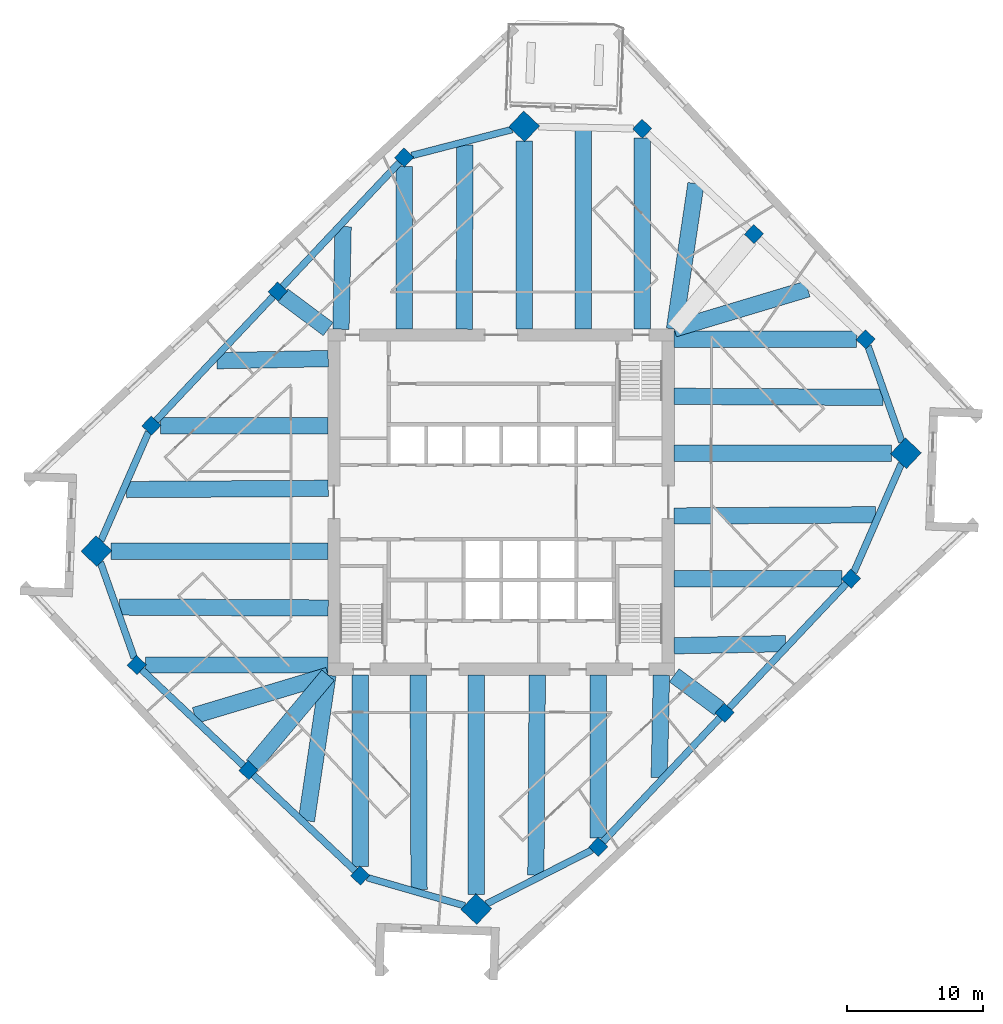
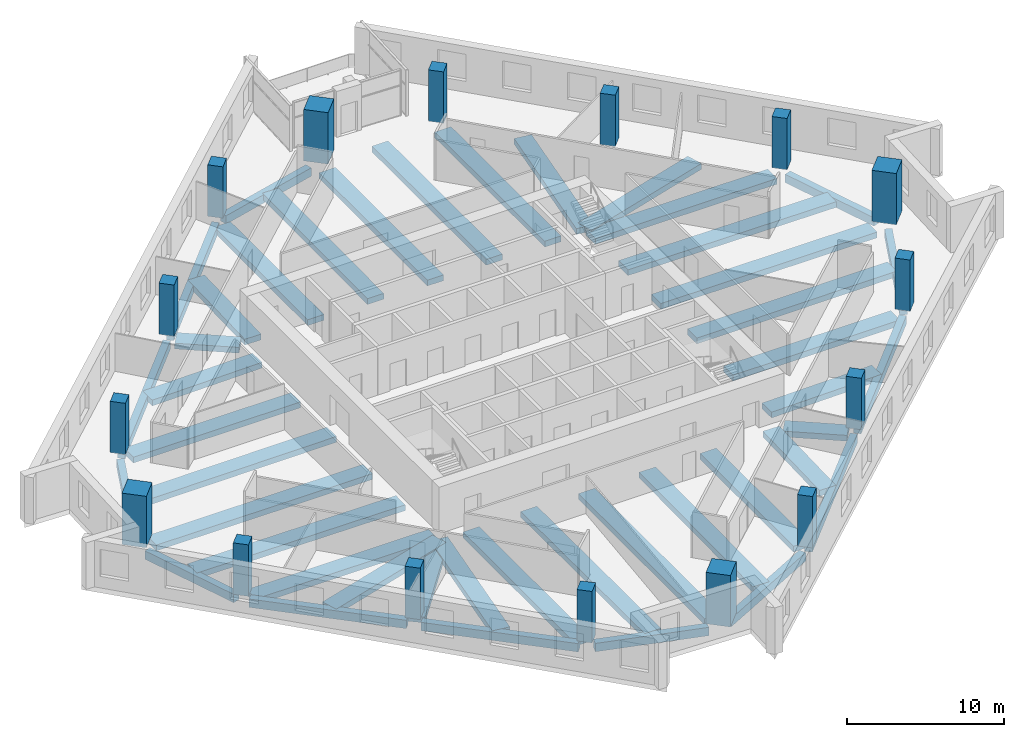
# One storey, part 1 of 10: 44 beams, 16 columns.
"""IFC4 building model written with IfcOpenShell, lengths in metres."""

from ifc_helpers import new_model, si_unit, direction, frame, origin, origin_2d, place, context, subcontext, project, spatial, rectangle, extrude, material, material_profile, profile_set, type_object, element, save


model = new_model("IFC4")

# Units and contexts
model_context = context("Model", 3, precision=1e-05, world=origin(), true_north=direction((0.0, 1.0)))
body_context = subcontext(model_context, "Body", "Model", "MODEL_VIEW")
ifc_project = project(units=[si_unit("LENGTHUNIT", "METRE"), si_unit("AREAUNIT", "SQUARE_METRE"), si_unit("VOLUMEUNIT", "CUBIC_METRE"), si_unit("PLANEANGLEUNIT", "RADIAN"), si_unit("MASSUNIT", "GRAM", prefix="KILO")], contexts=[model_context])

# Site, building, storey
site_placement = place(None, origin())
site = spatial("IfcSite", under=ifc_project, at=site_placement, CompositionType="ELEMENT")
building_placement = place(site_placement, origin())
building = spatial("IfcBuilding", under=site, at=building_placement, Name="Dilmun Exchange Tower", CompositionType="ELEMENT")
storey_placement = place(building_placement, frame((0.0, 0.0, 201.300048828125)))
storey = spatial("IfcBuildingStorey", under=building, at=storey_placement, Name="L47", CompositionType="ELEMENT", Elevation=201.300048828125)

# Columns
ifc_material_1 = material(Name="Concrete C60/75", Category="concrete")
ifc_material_profile_1 = material_profile(ifc_material_1, rectangle(XDim=1.60009765625, YDim=1.60009765625, at=origin_2d()), Name="1600 x 1600")
ifc_profile_set_1 = profile_set([ifc_material_profile_1], Name="Concrete C60/75")
column_type_1 = type_object("IfcColumnType", Name="RC mega column 1600 x 1600 C60/75", PredefinedType="COLUMN", material=ifc_profile_set_1)
for number, where, z_axis, x_axis, name in (
    (1, (1.68505859375, 27.5380859375, 0.0), (0.0, 0.0, 1.0), (0.685916152371, 0.727680583715, 0.0), "Mega column M1"),
    (2, (-29.658935546875, -3.58203125, 0.0), (0.0, 0.0, 1.0), (0.685916152371, 0.727680583715, 0.0), "Mega column M2"),
    (3, (-1.824951171875, -29.818115234375, 0.0), (0.0, 0.0, 1.0), (0.685916152371, 0.727680583715, 0.0), "Mega column M3"),
    (4, (29.658935546875, 3.58203125, 0.0), (0.0, 0.0, 1.0), (0.685916152371, 0.727680583715, 0.0), "Mega column M4"),
):
    element("IfcColumn", number, at=place(storey_placement, frame(where, z_axis=z_axis, x_axis=x_axis)), inside=storey, type_object=column_type_1, Name=name, PredefinedType="COLUMN", context=body_context, shape_type="SweptSolid", body=[
        extrude(rectangle(XDim=1.60009765625, YDim=1.60009765625, at=origin_2d()), origin(), (0.0, 0.0, 1.0), 4.0),
    ])
ifc_material_profile_2 = material_profile(ifc_material_1, rectangle(XDim=1.0, YDim=1.0, at=origin_2d()), Name="1000 x 1000")
ifc_profile_set_2 = profile_set([ifc_material_profile_2], Name="Concrete C60/75")
column_type_2 = type_object("IfcColumnType", Name="RC ring column 1000 x 1000 C60/75", PredefinedType="COLUMN", material=ifc_profile_set_2)
for number, where, z_axis, x_axis, name in (
    (5, (-7.113037109375, 25.257080078125, 0.0), (0.0, 0.0, 1.0), (0.685916152371, 0.727680583715, 0.0), "Ring column R01"),
    (6, (-16.373046875, 15.43310546875, 0.0), (0.0, 0.0, 1.0), (0.685916152371, 0.727680583715, 0.0), "Ring column R02"),
    (7, (-25.633056640625, 5.60888671875, 0.0), (0.0, 0.0, 1.0), (0.685916152371, 0.727680583715, 0.0), "Ring column R03"),
    (8, (-26.7060546875, -11.930908203125, 0.0), (0.0, 0.0, 1.0), (0.685916152371, 0.727680583715, 0.0), "Ring column R04"),
    (9, (-18.52001953125, -19.64697265625, 0.0), (0.0, 0.0, 1.0), (0.685916152371, 0.727680583715, 0.0), "Ring column R05"),
    (10, (-10.3330078125, -27.364013671875, 0.0), (0.0, 0.0, 1.0), (0.685916152371, 0.727680583715, 0.0), "Ring column R06"),
    (11, (7.113037109375, -25.257080078125, 0.0), (0.0, 0.0, 1.0), (0.685916152371, 0.727680583715, 0.0), "Ring column R07"),
    (12, (16.373046875, -15.43310546875, 0.0), (0.0, 0.0, 1.0), (0.685916152371, 0.727680583715, 0.0), "Ring column R08"),
    (13, (25.633056640625, -5.60888671875, 0.0), (0.0, 0.0, 1.0), (0.685916152371, 0.727680583715, 0.0), "Ring column R09"),
    (14, (26.7060546875, 11.930908203125, 0.0), (0.0, 0.0, 1.0), (0.685916152371, 0.727680583715, 0.0), "Ring column R10"),
    (15, (18.52001953125, 19.64697265625, 0.0), (0.0, 0.0, 1.0), (0.685916152371, 0.727680583715, 0.0), "Ring column R11"),
    (16, (10.3330078125, 27.364013671875, 0.0), (0.0, 0.0, 1.0), (0.685916152371, 0.727680583715, 0.0), "Ring column R12"),
):
    element("IfcColumn", number, at=place(storey_placement, frame(where, z_axis=z_axis, x_axis=x_axis)), inside=storey, type_object=column_type_2, Name=name, PredefinedType="COLUMN", context=body_context, shape_type="SweptSolid", body=[
        extrude(rectangle(XDim=1.0, YDim=1.0, at=origin_2d()), origin(), (0.0, 0.0, 1.0), 4.0),
    ])

# Beams
ifc_material_2 = material(Name="Concrete C40/50", Category="concrete")
ifc_material_profile_3 = material_profile(ifc_material_2, rectangle(XDim=1.199951171875, YDim=0.449951171875, at=origin_2d()), Name="1200 x 450")
ifc_profile_set_3 = profile_set([ifc_material_profile_3], Name="Concrete C40/50")
beam_type_1 = type_object("IfcBeamType", Name="RC band beam 1200 x 450 C40/50", PredefinedType="BEAM", material=ifc_profile_set_3)
beam_1_placement = place(storey_placement, frame((1.68505859375, 26.465576171875, -0.705078125), z_axis=(0.0, -1.0, 0.0), x_axis=(1.0, 0.0, 0.0)))
element("IfcBeam", 17, at=beam_1_placement, inside=storey, type_object=beam_type_1, Name="Band beam 1", PredefinedType="BEAM", context=body_context, shape_type="SweptSolid", body=[
    extrude(rectangle(XDim=1.199951171875, YDim=0.449951171875, at=origin_2d()), origin(), (0.0, 0.0, 1.0), 13.79248046875),
])
beam_2_placement = place(storey_placement, frame((-7.113037109375, 24.596923828125, -0.705078125), z_axis=(0.0, -1.0, 0.0), x_axis=(1.0, 0.0, 0.0)))
element("IfcBeam", 18, at=beam_2_placement, inside=storey, type_object=beam_type_1, Name="Band beam 2", PredefinedType="BEAM", context=body_context, shape_type="SweptSolid", body=[
    extrude(rectangle(XDim=1.199951171875, YDim=0.449951171875, at=origin_2d()), origin(), (0.0, 0.0, 1.0), 11.923828125),
])
beam_3_placement = place(storey_placement, frame((-15.99072265625, 15.148681640625, -0.705078125), z_axis=(0.802264832552, -0.596968289317, 0.0), x_axis=(0.596968289317, 0.802264832552, 0.0)))
element("IfcBeam", 19, at=beam_3_placement, inside=storey, type_object=beam_type_1, Name="Band beam 3", PredefinedType="BEAM", context=body_context, shape_type="SweptSolid", body=[
    extrude(rectangle(XDim=1.199951171875, YDim=0.449951171875, at=origin_2d()), origin(), (0.0, 0.0, 1.0), 4.12890625),
])
beam_4_placement = place(storey_placement, frame((-24.972900390625, 5.60888671875, -0.705078125), z_axis=(1.0, 0.0, 0.0), x_axis=(0.0, 1.0, 0.0)))
element("IfcBeam", 20, at=beam_4_placement, inside=storey, type_object=beam_type_1, Name="Band beam 4", PredefinedType="BEAM", context=body_context, shape_type="SweptSolid", body=[
    extrude(rectangle(XDim=1.199951171875, YDim=0.449951171875, at=origin_2d()), origin(), (0.0, 0.0, 1.0), 12.2998046875),
])
beam_5_placement = place(storey_placement, frame((-28.586669921875, -3.58203125, -0.705078125), z_axis=(1.0, 0.0, 0.0), x_axis=(0.0, 1.0, 0.0)))
element("IfcBeam", 21, at=beam_5_placement, inside=storey, type_object=beam_type_1, Name="Band beam 5", PredefinedType="BEAM", context=body_context, shape_type="SweptSolid", body=[
    extrude(rectangle(XDim=1.199951171875, YDim=0.449951171875, at=origin_2d()), origin(), (0.0, 0.0, 1.0), 15.91357421875),
])
beam_6_placement = place(storey_placement, frame((-26.0458984375, -11.930908203125, -0.705078125), z_axis=(1.0, 0.0, 0.0), x_axis=(0.0, 1.0, 0.0)))
element("IfcBeam", 22, at=beam_6_placement, inside=storey, type_object=beam_type_1, Name="Band beam 6", PredefinedType="BEAM", context=body_context, shape_type="SweptSolid", body=[
    extrude(rectangle(XDim=1.199951171875, YDim=0.449951171875, at=origin_2d()), origin(), (0.0, 0.0, 1.0), 13.372802734375),
])
beam_7_placement = place(storey_placement, frame((-18.2158203125, -19.28369140625, -0.705078125), z_axis=(0.642200063897, 0.766537068856, 0.0), x_axis=(-0.766537068856, 0.642200063897, 0.0)))
element("IfcBeam", 23, at=beam_7_placement, inside=storey, type_object=beam_type_1, Name="Band beam 7", PredefinedType="BEAM", context=body_context, shape_type="SweptSolid", body=[
    extrude(rectangle(XDim=1.199951171875, YDim=0.449951171875, at=origin_2d()), origin(), (0.0, 0.0, 1.0), 8.615966796875),
])
beam_8_placement = place(storey_placement, frame((-10.3330078125, -26.703857421875, -0.705078125), z_axis=(0.0, 1.0, 0.0), x_axis=(-1.0, 0.0, 0.0)))
element("IfcBeam", 24, at=beam_8_placement, inside=storey, type_object=beam_type_1, Name="Band beam 8", PredefinedType="BEAM", context=body_context, shape_type="SweptSolid", body=[
    extrude(rectangle(XDim=1.199951171875, YDim=0.449951171875, at=origin_2d()), origin(), (0.0, 0.0, 1.0), 14.03076171875),
])
beam_9_placement = place(storey_placement, frame((-1.824951171875, -28.74560546875, -0.705078125), z_axis=(0.0, 1.0, 0.0), x_axis=(-1.0, 0.0, 0.0)))
element("IfcBeam", 25, at=beam_9_placement, inside=storey, type_object=beam_type_1, Name="Band beam 9", PredefinedType="BEAM", context=body_context, shape_type="SweptSolid", body=[
    extrude(rectangle(XDim=1.199951171875, YDim=0.449951171875, at=origin_2d()), origin(), (0.0, 0.0, 1.0), 16.072509765625),
])
beam_10_placement = place(storey_placement, frame((7.113037109375, -24.596923828125, -0.705078125), z_axis=(0.0, 1.0, 0.0), x_axis=(-1.0, 0.0, 0.0)))
element("IfcBeam", 26, at=beam_10_placement, inside=storey, type_object=beam_type_1, Name="Band beam 10", PredefinedType="BEAM", context=body_context, shape_type="SweptSolid", body=[
    extrude(rectangle(XDim=1.199951171875, YDim=0.449951171875, at=origin_2d()), origin(), (0.0, 0.0, 1.0), 11.923828125),
])
beam_11_placement = place(storey_placement, frame((15.99072265625, -15.148681640625, -0.705078125), z_axis=(-0.802264832552, 0.596968289317, 0.0), x_axis=(-0.596968289317, -0.802264832552, 0.0)))
element("IfcBeam", 27, at=beam_11_placement, inside=storey, type_object=beam_type_1, Name="Band beam 11", PredefinedType="BEAM", context=body_context, shape_type="SweptSolid", body=[
    extrude(rectangle(XDim=1.199951171875, YDim=0.449951171875, at=origin_2d()), origin(), (0.0, 0.0, 1.0), 4.12890625),
])
beam_12_placement = place(storey_placement, frame((24.972900390625, -5.60888671875, -0.705078125), z_axis=(-1.0, 0.0, 0.0), x_axis=(0.0, -1.0, 0.0)))
element("IfcBeam", 28, at=beam_12_placement, inside=storey, type_object=beam_type_1, Name="Band beam 12", PredefinedType="BEAM", context=body_context, shape_type="SweptSolid", body=[
    extrude(rectangle(XDim=1.199951171875, YDim=0.449951171875, at=origin_2d()), origin(), (0.0, 0.0, 1.0), 12.2998046875),
])
beam_13_placement = place(storey_placement, frame((28.586669921875, 3.58203125, -0.705078125), z_axis=(-1.0, 0.0, 0.0), x_axis=(0.0, -1.0, 0.0)))
element("IfcBeam", 29, at=beam_13_placement, inside=storey, type_object=beam_type_1, Name="Band beam 13", PredefinedType="BEAM", context=body_context, shape_type="SweptSolid", body=[
    extrude(rectangle(XDim=1.199951171875, YDim=0.449951171875, at=origin_2d()), origin(), (0.0, 0.0, 1.0), 15.91357421875),
])
beam_14_placement = place(storey_placement, frame((26.0458984375, 11.930908203125, -0.705078125), z_axis=(-1.0, 0.0, 0.0), x_axis=(0.0, -1.0, 0.0)))
element("IfcBeam", 30, at=beam_14_placement, inside=storey, type_object=beam_type_1, Name="Band beam 14", PredefinedType="BEAM", context=body_context, shape_type="SweptSolid", body=[
    extrude(rectangle(XDim=1.199951171875, YDim=0.449951171875, at=origin_2d()), origin(), (0.0, 0.0, 1.0), 13.372802734375),
])
beam_15_placement = place(storey_placement, frame((10.3330078125, 26.703857421875, -0.705078125), z_axis=(0.0, -1.0, 0.0), x_axis=(1.0, 0.0, 0.0)))
element("IfcBeam", 31, at=beam_15_placement, inside=storey, type_object=beam_type_1, Name="Band beam 16", PredefinedType="BEAM", context=body_context, shape_type="SweptSolid", body=[
    extrude(rectangle(XDim=1.199951171875, YDim=0.449951171875, at=origin_2d()), origin(), (0.0, 0.0, 1.0), 14.03076171875),
])
beam_16_placement = place(storey_placement, frame((-2.657958984375, 26.181640625, -0.60498046875), z_axis=(-0.004156765881, -0.999991360611, 0.0), x_axis=(0.999991360611, -0.004156765881, 0.0)))
element("IfcBeam", 32, at=beam_16_placement, inside=storey, type_object=beam_type_1, Name="Band beam 17", PredefinedType="BEAM", context=body_context, shape_type="SweptSolid", body=[
    extrude(rectangle(XDim=1.199951171875, YDim=0.449951171875, at=origin_2d()), origin(), (0.0, 0.0, 1.0), 13.508544921875),
])
beam_17_placement = place(storey_placement, frame((-11.580810546875, 20.19189453125, -0.60498046875), z_axis=(-0.021555532074, -0.999767652526, 0.0), x_axis=(0.999767652526, -0.021555532074, 0.0)))
element("IfcBeam", 33, at=beam_17_placement, inside=storey, type_object=beam_type_1, Name="Band beam 18", PredefinedType="BEAM", context=body_context, shape_type="SweptSolid", body=[
    extrude(rectangle(XDim=1.199951171875, YDim=0.449951171875, at=origin_2d()), origin(), (0.0, 0.0, 1.0), 7.5205078125),
])
beam_18_placement = place(storey_placement, frame((-20.8408203125, 10.367919921875, -0.60498046875), z_axis=(0.999824422594, 0.018738302585, 0.0), x_axis=(-0.018738302585, 0.999824422594, 0.0)))
element("IfcBeam", 34, at=beam_18_placement, inside=storey, type_object=beam_type_1, Name="Band beam 19", PredefinedType="BEAM", context=body_context, shape_type="SweptSolid", body=[
    extrude(rectangle(XDim=1.199951171875, YDim=0.449951171875, at=origin_2d()), origin(), (0.0, 0.0, 1.0), 8.169189453125),
])
beam_19_placement = place(storey_placement, frame((-27.441650390625, 0.924072265625, -0.60498046875), z_axis=(0.999981696912, 0.006050276087, 0.0), x_axis=(-0.006050276087, 0.999981696912, 0.0)))
element("IfcBeam", 35, at=beam_19_placement, inside=storey, type_object=beam_type_1, Name="Band beam 20", PredefinedType="BEAM", context=body_context, shape_type="SweptSolid", body=[
    extrude(rectangle(XDim=1.199951171875, YDim=0.449951171875, at=origin_2d()), origin(), (0.0, 0.0, 1.0), 14.768798828125),
])
beam_20_placement = place(storey_placement, frame((-27.972412109375, -7.68212890625, -0.60498046875), z_axis=(0.99998815601, -0.004867015408, 0.0), x_axis=(0.004867015408, 0.99998815601, 0.0)))
element("IfcBeam", 36, at=beam_20_placement, inside=storey, type_object=beam_type_1, Name="Band beam 21", PredefinedType="BEAM", context=body_context, shape_type="SweptSolid", body=[
    extrude(rectangle(XDim=1.199951171875, YDim=0.449951171875, at=origin_2d()), origin(), (0.0, 0.0, 1.0), 15.299560546875),
])
beam_21_placement = place(storey_placement, frame((-22.4599609375, -15.626708984375, -0.60498046875), z_axis=(0.957849959988, 0.287268957862, 0.0), x_axis=(-0.287268957862, 0.957849959988, 0.0)))
element("IfcBeam", 37, at=beam_21_placement, inside=storey, type_object=beam_type_1, Name="Band beam 22", PredefinedType="BEAM", context=body_context, shape_type="SweptSolid", body=[
    extrude(rectangle(XDim=1.199951171875, YDim=0.449951171875, at=origin_2d()), origin(), (0.0, 0.0, 1.0), 10.21630859375),
])
beam_22_placement = place(storey_placement, frame((-14.2734375, -23.34326171875, -0.60498046875), z_axis=(0.146268101323, 0.989244986106, 0.0), x_axis=(-0.989244986106, 0.146268101323, 0.0)))
element("IfcBeam", 38, at=beam_22_placement, inside=storey, type_object=beam_type_1, Name="Band beam 23", PredefinedType="BEAM", context=body_context, shape_type="SweptSolid", body=[
    extrude(rectangle(XDim=1.199951171875, YDim=0.449951171875, at=origin_2d()), origin(), (0.0, 0.0, 1.0), 10.785888671875),
])
beam_23_placement = place(storey_placement, frame((-6.01708984375, -28.376708984375, -0.60498046875), z_axis=(-0.003948851398, 0.999992203256, 0.0), x_axis=(-0.999992203256, -0.003948851398, 0.0)))
element("IfcBeam", 39, at=beam_23_placement, inside=storey, type_object=beam_type_1, Name="Band beam 24", PredefinedType="BEAM", context=body_context, shape_type="SweptSolid", body=[
    extrude(rectangle(XDim=1.199951171875, YDim=0.449951171875, at=origin_2d()), origin(), (0.0, 0.0, 1.0), 15.703857421875),
])
beam_24_placement = place(storey_placement, frame((2.54248046875, -27.3388671875, -0.60498046875), z_axis=(0.006924972536, 0.99997602209, 0.0), x_axis=(-0.99997602209, 0.006924972536, 0.0)))
element("IfcBeam", 40, at=beam_24_placement, inside=storey, type_object=beam_type_1, Name="Band beam 25", PredefinedType="BEAM", context=body_context, shape_type="SweptSolid", body=[
    extrude(rectangle(XDim=1.199951171875, YDim=0.449951171875, at=origin_2d()), origin(), (0.0, 0.0, 1.0), 14.666015625),
])
beam_25_placement = place(storey_placement, frame((11.580810546875, -20.19189453125, -0.60498046875), z_axis=(0.021555532074, 0.999767652526, 0.0), x_axis=(-0.999767652526, 0.021555532074, 0.0)))
element("IfcBeam", 41, at=beam_25_placement, inside=storey, type_object=beam_type_1, Name="Band beam 26", PredefinedType="BEAM", context=body_context, shape_type="SweptSolid", body=[
    extrude(rectangle(XDim=1.199951171875, YDim=0.449951171875, at=origin_2d()), origin(), (0.0, 0.0, 1.0), 7.5205078125),
])
beam_26_placement = place(storey_placement, frame((20.8408203125, -10.367919921875, -0.60498046875), z_axis=(-0.999824422594, -0.018738302585, 0.0), x_axis=(0.018738302585, -0.999824422594, 0.0)))
element("IfcBeam", 42, at=beam_26_placement, inside=storey, type_object=beam_type_1, Name="Band beam 27", PredefinedType="BEAM", context=body_context, shape_type="SweptSolid", body=[
    extrude(rectangle(XDim=1.199951171875, YDim=0.449951171875, at=origin_2d()), origin(), (0.0, 0.0, 1.0), 8.169189453125),
])
beam_27_placement = place(storey_placement, frame((27.441650390625, -0.924072265625, -0.60498046875), z_axis=(-0.999981696912, -0.006050276087, 0.0), x_axis=(0.006050276087, -0.999981696912, 0.0)))
element("IfcBeam", 43, at=beam_27_placement, inside=storey, type_object=beam_type_1, Name="Band beam 28", PredefinedType="BEAM", context=body_context, shape_type="SweptSolid", body=[
    extrude(rectangle(XDim=1.199951171875, YDim=0.449951171875, at=origin_2d()), origin(), (0.0, 0.0, 1.0), 14.768798828125),
])
beam_28_placement = place(storey_placement, frame((27.972412109375, 7.68212890625, -0.60498046875), z_axis=(-0.99998815601, 0.004867015408, 0.0), x_axis=(-0.004867015408, -0.99998815601, 0.0)))
element("IfcBeam", 44, at=beam_28_placement, inside=storey, type_object=beam_type_1, Name="Band beam 29", PredefinedType="BEAM", context=body_context, shape_type="SweptSolid", body=[
    extrude(rectangle(XDim=1.199951171875, YDim=0.449951171875, at=origin_2d()), origin(), (0.0, 0.0, 1.0), 15.299560546875),
])
beam_29_placement = place(storey_placement, frame((22.4599609375, 15.626708984375, -0.60498046875), z_axis=(-0.957849959988, -0.287268957862, 0.0), x_axis=(0.287268957862, -0.957849959988, 0.0)))
element("IfcBeam", 45, at=beam_29_placement, inside=storey, type_object=beam_type_1, Name="Band beam 30", PredefinedType="BEAM", context=body_context, shape_type="SweptSolid", body=[
    extrude(rectangle(XDim=1.199951171875, YDim=0.449951171875, at=origin_2d()), origin(), (0.0, 0.0, 1.0), 10.21630859375),
])
beam_30_placement = place(storey_placement, frame((14.2734375, 23.34326171875, -0.60498046875), z_axis=(-0.146268101323, -0.989244986106, 0.0), x_axis=(0.989244986106, -0.146268101323, 0.0)))
element("IfcBeam", 46, at=beam_30_placement, inside=storey, type_object=beam_type_1, Name="Band beam 31", PredefinedType="BEAM", context=body_context, shape_type="SweptSolid", body=[
    extrude(rectangle(XDim=1.199951171875, YDim=0.449951171875, at=origin_2d()), origin(), (0.0, 0.0, 1.0), 10.785888671875),
])
beam_31_placement = place(storey_placement, frame((6.00439453125, 27.22802734375, -0.60498046875), z_axis=(0.000318701025, -0.999999949215, 0.0), x_axis=(0.999999949215, 0.000318701025, 0.0)))
element("IfcBeam", 47, at=beam_31_placement, inside=storey, type_object=beam_type_1, Name="Band beam 32", PredefinedType="BEAM", context=body_context, shape_type="SweptSolid", body=[
    extrude(rectangle(XDim=1.199951171875, YDim=0.449951171875, at=origin_2d()), origin(), (0.0, 0.0, 1.0), 14.554931640625),
])
ifc_material_profile_4 = material_profile(ifc_material_2, rectangle(XDim=0.5, YDim=0.64990234375, at=origin_2d()), Name="500 x 650")
ifc_profile_set_4 = profile_set([ifc_material_profile_4], Name="Concrete C40/50")
beam_type_2 = type_object("IfcBeamType", Name="RC ring beam 500 x 650 C40/50", PredefinedType="SPANDREL", material=ifc_profile_set_4)
beam_32_placement = place(storey_placement, frame((0.79638671875, 27.3076171875, -0.705078125), z_axis=(-0.967995165605, -0.250968841424, 0.0), x_axis=(0.250968841424, -0.967995165605, 0.0)))
element("IfcBeam", 48, at=beam_32_placement, inside=storey, type_object=beam_type_2, Name="Ring beam 1", PredefinedType="SPANDREL", context=body_context, shape_type="SweptSolid", body=[
    extrude(rectangle(XDim=0.5, YDim=0.64990234375, at=origin_2d()), origin(), (0.0, 0.0, 1.0), 7.607177734375),
])
for number, where, z_axis, x_axis, name in (
    (49, (-7.4375, 24.912841796875, -0.705078125), (-0.685902559512, -0.727693396188, 0.0), (0.727693396188, -0.685902559512, 0.0), "Ring beam 2"),
    (50, (-16.697509765625, 15.0888671875, -0.705078125), (-0.685902559512, -0.727693396188, 0.0), (0.727693396188, -0.685902559512, 0.0), "Ring beam 3"),
):
    element("IfcBeam", number, at=place(storey_placement, frame(where, z_axis=z_axis, x_axis=x_axis)), inside=storey, type_object=beam_type_2, Name=name, PredefinedType="SPANDREL", context=body_context, shape_type="SweptSolid", body=[
        extrude(rectangle(XDim=0.5, YDim=0.64990234375, at=origin_2d()), origin(), (0.0, 0.0, 1.0), 12.554443359375),
    ])
beam_33_placement = place(storey_placement, frame((-25.835205078125, 5.1474609375, -0.705078125), z_axis=(-0.401239440722, -0.915973204416, 0.0), x_axis=(0.915973204416, -0.401239440722, 0.0)))
element("IfcBeam", 51, at=beam_33_placement, inside=storey, type_object=beam_type_2, Name="Ring beam 4", PredefinedType="SPANDREL", context=body_context, shape_type="SweptSolid", body=[
    extrude(rectangle(XDim=0.5, YDim=0.64990234375, at=origin_2d()), origin(), (0.0, 0.0, 1.0), 8.707763671875),
])
beam_34_placement = place(storey_placement, frame((-29.367919921875, -4.404541015625, -0.705078125), z_axis=(0.333423578623, -0.942777130195, 0.0), x_axis=(0.942777130195, 0.333423578623, 0.0)))
element("IfcBeam", 52, at=beam_34_placement, inside=storey, type_object=beam_type_2, Name="Ring beam 5", PredefinedType="SPANDREL", context=body_context, shape_type="SweptSolid", body=[
    extrude(rectangle(XDim=0.5, YDim=0.64990234375, at=origin_2d()), origin(), (0.0, 0.0, 1.0), 7.4482421875),
])
beam_35_placement = place(storey_placement, frame((-26.36181640625, -12.25537109375, -0.705078125), z_axis=(0.727685706374, -0.68591071776, 0.0), x_axis=(0.68591071776, 0.727685706374, 0.0)))
element("IfcBeam", 53, at=beam_35_placement, inside=storey, type_object=beam_type_2, Name="Ring beam 6", PredefinedType="SPANDREL", context=body_context, shape_type="SweptSolid", body=[
    extrude(rectangle(XDim=0.5, YDim=0.64990234375, at=origin_2d()), origin(), (0.0, 0.0, 1.0), 10.30322265625),
])
beam_36_placement = place(storey_placement, frame((-18.17578125, -19.971435546875, -0.705078125), z_axis=(0.727682990869, -0.685913598641, 0.0), x_axis=(0.685913598641, 0.727682990869, 0.0)))
element("IfcBeam", 54, at=beam_36_placement, inside=storey, type_object=beam_type_2, Name="Ring beam 7", PredefinedType="SPANDREL", context=body_context, shape_type="SweptSolid", body=[
    extrude(rectangle(XDim=0.5, YDim=0.64990234375, at=origin_2d()), origin(), (0.0, 0.0, 1.0), 10.3046875),
])
beam_37_placement = place(storey_placement, frame((-9.818603515625, -27.51220703125, -0.705078125), z_axis=(0.960825605861, -0.277153666983, 0.0), x_axis=(0.277153666983, 0.960825605861, 0.0)))
element("IfcBeam", 55, at=beam_37_placement, inside=storey, type_object=beam_type_2, Name="Ring beam 8", PredefinedType="SPANDREL", context=body_context, shape_type="SweptSolid", body=[
    extrude(rectangle(XDim=0.5, YDim=0.64990234375, at=origin_2d()), origin(), (0.0, 0.0, 1.0), 7.447021484375),
])
beam_38_placement = place(storey_placement, frame((-1.09228515625, -29.444091796875, -0.705078125), z_axis=(0.89072990219, 0.454532992581, 0.0), x_axis=(-0.454532992581, 0.89072990219, 0.0)))
element("IfcBeam", 56, at=beam_38_placement, inside=storey, type_object=beam_type_2, Name="Ring beam 9", PredefinedType="SPANDREL", context=body_context, shape_type="SweptSolid", body=[
    extrude(rectangle(XDim=0.5, YDim=0.64990234375, at=origin_2d()), origin(), (0.0, 0.0, 1.0), 8.707763671875),
])
for number, where, z_axis, x_axis, name in (
    (57, (7.4375, -24.912841796875, -0.705078125), (0.685902559512, 0.727693396188, 0.0), (-0.727693396188, 0.685902559512, 0.0), "Ring beam 10"),
    (58, (16.697509765625, -15.0888671875, -0.705078125), (0.685902559512, 0.727693396188, 0.0), (-0.727693396188, 0.685902559512, 0.0), "Ring beam 11"),
):
    element("IfcBeam", number, at=place(storey_placement, frame(where, z_axis=z_axis, x_axis=x_axis)), inside=storey, type_object=beam_type_2, Name=name, PredefinedType="SPANDREL", context=body_context, shape_type="SweptSolid", body=[
        extrude(rectangle(XDim=0.5, YDim=0.64990234375, at=origin_2d()), origin(), (0.0, 0.0, 1.0), 12.554443359375),
    ])
beam_39_placement = place(storey_placement, frame((25.835205078125, -5.1474609375, -0.705078125), z_axis=(0.401239440722, 0.915973204416, 0.0), x_axis=(-0.915973204416, 0.401239440722, 0.0)))
element("IfcBeam", 59, at=beam_39_placement, inside=storey, type_object=beam_type_2, Name="Ring beam 12", PredefinedType="SPANDREL", context=body_context, shape_type="SweptSolid", body=[
    extrude(rectangle(XDim=0.5, YDim=0.64990234375, at=origin_2d()), origin(), (0.0, 0.0, 1.0), 8.707763671875),
])
beam_40_placement = place(storey_placement, frame((29.367919921875, 4.404541015625, -0.705078125), z_axis=(-0.333423578623, 0.942777130195, 0.0), x_axis=(-0.942777130195, -0.333423578623, 0.0)))
element("IfcBeam", 60, at=beam_40_placement, inside=storey, type_object=beam_type_2, Name="Ring beam 13", PredefinedType="SPANDREL", context=body_context, shape_type="SweptSolid", body=[
    extrude(rectangle(XDim=0.5, YDim=0.64990234375, at=origin_2d()), origin(), (0.0, 0.0, 1.0), 7.4482421875),
])

save(model, "model.ifc")
